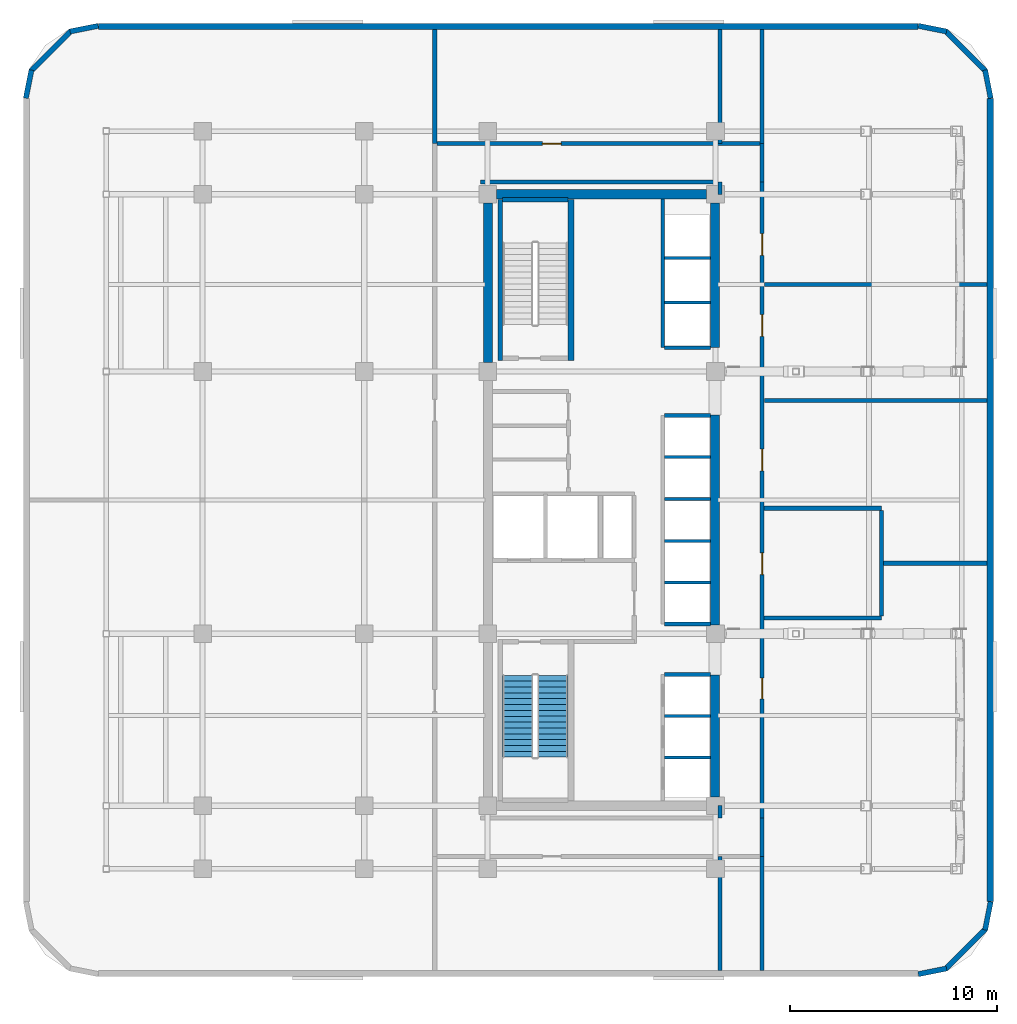
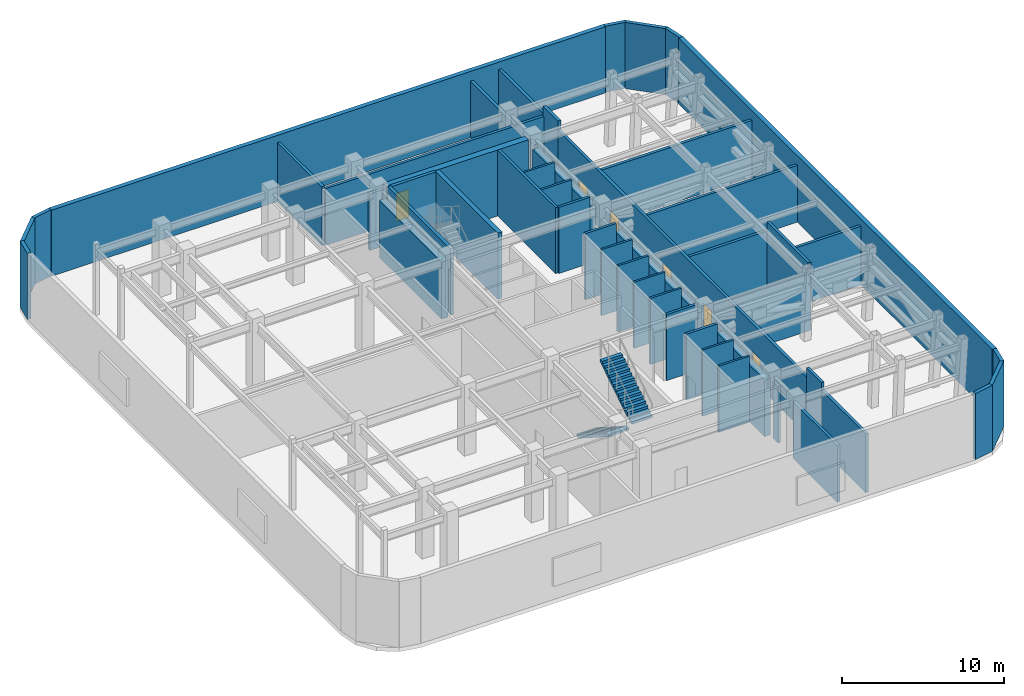
# One storey, part 9 of 14: 50 walls, 6 doors, 2 stair flights, 6 openings, 1 element without a shape of its own.
"""IFC4 building model written with IfcOpenShell, lengths in metres."""

from ifc_helpers import new_model, si_unit, direction, frame, frame_2d, origin, place, context, subcontext, project, spatial, polyline, rectangle, outline, extrude, material, layer, layer_set, type_object, element, fill, aggregate, save


model = new_model("IFC4")

# Units and contexts
model_context = context("Model", 3, precision=1e-05, world=origin(), true_north=direction((0.0, 1.0)))
body_context = subcontext(model_context, "Body", "Model", "MODEL_VIEW")
ifc_project = project(units=[si_unit("LENGTHUNIT", "METRE"), si_unit("AREAUNIT", "SQUARE_METRE"), si_unit("VOLUMEUNIT", "CUBIC_METRE"), si_unit("PLANEANGLEUNIT", "RADIAN"), si_unit("MASSUNIT", "GRAM", prefix="KILO")], contexts=[model_context])

# Site, building, storey
site_placement = place(None, origin())
site = spatial("IfcSite", under=ifc_project, at=site_placement, CompositionType="ELEMENT")
building_placement = place(site_placement, origin())
building = spatial("IfcBuilding", under=site, at=building_placement, Name="Ochreholt Gables", CompositionType="ELEMENT")
storey_placement = place(building_placement, frame((0.0, 0.0, 71.39990234375)))
storey = spatial("IfcBuildingStorey", under=building, at=storey_placement, Name="L18", CompositionType="ELEMENT", Elevation=71.39990234375)

# Walls
ifc_material_1 = material(Name="Concrete 60 MPa", Category="concrete")
ifc_layer_1 = layer(ifc_material_1, 0.449951171875, Name="Concrete 60 MPa")
ifc_layer_set_1 = layer_set([ifc_layer_1], Name="Concrete 60 MPa")
wall_type_1 = type_object("IfcWallType", Name="WALL-CSW-450", PredefinedType="SHEAR", material=ifc_layer_set_1)
wall_1_placement = place(storey_placement, frame((24.22509765625, 30.625, 0.0), z_axis=(0.0, 0.0, 1.0), x_axis=(0.0, 1.0, 0.0)))
element("IfcWall", 1, at=wall_1_placement, inside=storey, type_object=wall_type_1, Name="L18 Core West Shear Wall WN", PredefinedType="SHEAR", context=body_context, shape_type="SweptSolid", body=[
    extrude(rectangle(XDim=7.699951171875, YDim=0.449951171875, at=frame_2d((3.85009765625, 0.0))), origin(), (0.0, 0.0, 1.0), 4.297119140625),
])
wall_2_placement = place(storey_placement, frame((35.175048828125, 9.675048828125, 0.0), z_axis=(0.0, 0.0, 1.0), x_axis=(0.0, 1.0, 0.0)))
element("IfcWall", 2, at=wall_2_placement, inside=storey, type_object=wall_type_1, Name="L18 Core South-East Shear Wall", PredefinedType="SHEAR", context=body_context, shape_type="SweptSolid", body=[
    extrude(rectangle(XDim=5.875, YDim=0.449951171875, at=frame_2d((2.9375, 0.0))), origin(), (0.0, 0.0, 1.0), 4.297119140625),
])
wall_3_placement = place(storey_placement, frame((35.175048828125, 17.97509765625, 0.0), z_axis=(0.0, 0.0, 1.0), x_axis=(0.0, 1.0, 0.0)))
element("IfcWall", 3, at=wall_3_placement, inside=storey, type_object=wall_type_1, Name="L18 Core Central-East Shear Wall", PredefinedType="SHEAR", context=body_context, shape_type="SweptSolid", body=[
    extrude(rectangle(XDim=10.125, YDim=0.449951171875, at=frame_2d((5.0625, 0.0))), origin(), (0.0, 0.0, 1.0), 4.297119140625),
])
wall_4_placement = place(storey_placement, frame((35.175048828125, 31.35009765625, 0.0), z_axis=(0.0, 0.0, 1.0), x_axis=(0.0, 1.0, 0.0)))
element("IfcWall", 4, at=wall_4_placement, inside=storey, type_object=wall_type_1, Name="L18 Core North-East Shear Wall", PredefinedType="SHEAR", context=body_context, shape_type="SweptSolid", body=[
    extrude(rectangle(XDim=6.974853515625, YDim=0.449951171875, at=frame_2d((3.4873046875, 0.0))), origin(), (0.0, 0.0, 1.0), 4.297119140625),
])
wall_5_placement = place(storey_placement, frame((24.625, 38.75, 0.0), z_axis=(0.0, 0.0, 1.0), x_axis=(1.0, 0.0, 0.0)))
element("IfcWall", 5, at=wall_5_placement, inside=storey, type_object=wall_type_1, Name="L18 Core North Shear Wall", PredefinedType="SHEAR", context=body_context, shape_type="SweptSolid", body=[
    extrude(rectangle(XDim=10.14990234375, YDim=0.449951171875, at=frame_2d((5.074951171875, 0.0))), origin(), (0.0, 0.0, 1.0), 4.989990234375),
])
ifc_material_2 = material(Name="Precast concrete 40 MPa", Category="concrete")
ifc_layer_2 = layer(ifc_material_2, 0.25, Name="Precast concrete 40 MPa")
ifc_layer_set_2 = layer_set([ifc_layer_2], Name="Precast concrete 40 MPa")
wall_type_2 = type_object("IfcWallType", Name="WALL-EXT-CNR", PredefinedType="SOLIDWALL", material=ifc_layer_set_2)
wall_6_placement = place(storey_placement, frame((44.9833984375, 1.124267578125, 0.0), z_axis=(0.0, 0.0, 1.0), x_axis=(0.980809899341, 0.19496651342, 0.0)))
element("IfcWall", 6, at=wall_6_placement, inside=storey, type_object=wall_type_2, Name="L18 Rounded Corner Wall SE-1", PredefinedType="SOLIDWALL", context=body_context, shape_type="SweptSolid", body=[
    extrude(rectangle(XDim=1.388671875, YDim=0.25, at=frame_2d((0.6943359375, 0.0))), origin(), (0.0, 0.0, 1.0), 4.989990234375),
])
wall_7_placement = place(storey_placement, frame((46.294921875, 1.367919921875, 0.0), z_axis=(0.0, 0.0, 1.0), x_axis=(0.707106781187, 0.707106781187, 0.0)))
element("IfcWall", 7, at=wall_7_placement, inside=storey, type_object=wall_type_2, Name="L18 Rounded Corner Wall SE-2", PredefinedType="SOLIDWALL", context=body_context, shape_type="SweptSolid", body=[
    extrude(rectangle(XDim=2.7392578125, YDim=0.25, at=frame_2d((1.36962890625, 0.0))), origin(), (0.0, 0.0, 1.0), 4.989990234375),
])
for number, where, z_axis, x_axis, name in (
    (8, (48.205078125, 3.25439453125, 0.0), (0.0, 0.0, 1.0), (0.19496651342, 0.980809899341, 0.0), "L18 Rounded Corner Wall SE-3"),
    (9, (48.475830078125, 43.383544921875, 0.0), (0.0, 0.0, 1.0), (-0.19496651342, 0.980809899341, 0.0), "L18 Rounded Corner Wall NE-1"),
):
    element("IfcWall", number, at=place(storey_placement, frame(where, z_axis=z_axis, x_axis=x_axis)), inside=storey, type_object=wall_type_2, Name=name, PredefinedType="SOLIDWALL", context=body_context, shape_type="SweptSolid", body=[
        extrude(rectangle(XDim=1.388671875, YDim=0.25, at=frame_2d((0.6943359375, 0.0))), origin(), (0.0, 0.0, 1.0), 4.989990234375),
    ])
wall_8_placement = place(storey_placement, frame((48.23193359375, 44.695068359375, 0.0), z_axis=(0.0, 0.0, 1.0), x_axis=(-0.707106781187, 0.707106781187, 0.0)))
element("IfcWall", 10, at=wall_8_placement, inside=storey, type_object=wall_type_2, Name="L18 Rounded Corner Wall NE-2", PredefinedType="SOLIDWALL", context=body_context, shape_type="SweptSolid", body=[
    extrude(rectangle(XDim=2.7392578125, YDim=0.25, at=frame_2d((1.36962890625, 0.0))), origin(), (0.0, 0.0, 1.0), 4.989990234375),
])
for number, where, z_axis, x_axis, name in (
    (11, (46.345458984375, 46.60498046875, 0.0), (0.0, 0.0, 1.0), (-0.980809899341, 0.19496651342, 0.0), "L18 Rounded Corner Wall NE-3"),
    (12, (5.41650390625, 46.875732421875, 0.0), (0.0, 0.0, 1.0), (-0.980809899341, -0.19496651342, 0.0), "L18 Rounded Corner Wall NW-1"),
):
    element("IfcWall", number, at=place(storey_placement, frame(where, z_axis=z_axis, x_axis=x_axis)), inside=storey, type_object=wall_type_2, Name=name, PredefinedType="SOLIDWALL", context=body_context, shape_type="SweptSolid", body=[
        extrude(rectangle(XDim=1.388671875, YDim=0.25, at=frame_2d((0.6943359375, 0.0))), origin(), (0.0, 0.0, 1.0), 4.989990234375),
    ])
wall_9_placement = place(storey_placement, frame((4.10498046875, 46.632080078125, 0.0), z_axis=(0.0, 0.0, 1.0), x_axis=(-0.707106781187, -0.707106781187, 0.0)))
element("IfcWall", 13, at=wall_9_placement, inside=storey, type_object=wall_type_2, Name="L18 Rounded Corner Wall NW-2", PredefinedType="SOLIDWALL", context=body_context, shape_type="SweptSolid", body=[
    extrude(rectangle(XDim=2.7392578125, YDim=0.25, at=frame_2d((1.36962890625, 0.0))), origin(), (0.0, 0.0, 1.0), 4.989990234375),
])
wall_10_placement = place(storey_placement, frame((2.195068359375, 44.74560546875, 0.0), z_axis=(0.0, 0.0, 1.0), x_axis=(-0.19496651342, -0.980809899341, 0.0)))
element("IfcWall", 14, at=wall_10_placement, inside=storey, type_object=wall_type_2, Name="L18 Rounded Corner Wall NW-3", PredefinedType="SOLIDWALL", context=body_context, shape_type="SweptSolid", body=[
    extrude(rectangle(XDim=1.388671875, YDim=0.25, at=frame_2d((0.6943359375, 0.0))), origin(), (0.0, 0.0, 1.0), 4.989990234375),
])
ifc_material_3 = material(Name="Precast concrete 50 MPa", Category="concrete")
ifc_layer_3 = layer(ifc_material_3, 0.31005859375, Name="Precast concrete 50 MPa")
ifc_layer_set_3 = layer_set([ifc_layer_3], Name="Precast concrete 50 MPa")
wall_type_3 = type_object("IfcWallType", Name="WALL-EXT-PLT", PredefinedType="SOLIDWALL", material=ifc_layer_set_3)
wall_11_placement = place(storey_placement, frame((48.445068359375, 4.6201171875, 0.0), z_axis=(0.0, 0.0, 1.0), x_axis=(0.0, 1.0, 0.0)))
element("IfcWall", 15, at=wall_11_placement, inside=storey, type_object=wall_type_3, Name="L18 East Plant Facade Wall", PredefinedType="SOLIDWALL", context=body_context, shape_type="SweptSolid", body=[
    extrude(rectangle(XDim=38.759765625, YDim=0.31005859375, at=frame_2d((19.3798828125, 0.0))), origin(), (0.0, 0.0, 1.0), 4.989990234375),
])
wall_12_placement = place(storey_placement, frame((44.97998046875, 46.844970703125, 0.0), z_axis=(0.0, 0.0, 1.0), x_axis=(-1.0, 0.0, 0.0)))
element("IfcWall", 16, at=wall_12_placement, inside=storey, type_object=wall_type_3, Name="L18 North Plant Facade Wall", PredefinedType="SOLIDWALL", context=body_context, shape_type="SweptSolid", body=[
    extrude(rectangle(XDim=39.56005859375, YDim=0.31005859375, at=frame_2d((19.780029296875, 0.0))), origin(), (0.0, 0.0, 1.0), 4.989990234375),
])

# Wall, openings, doors
ifc_material_4 = material(Name="Concrete 40 MPa", Category="concrete")
ifc_layer_4 = layer(ifc_material_4, 0.199951171875, Name="Concrete 40 MPa")
ifc_layer_set_4 = layer_set([ifc_layer_4], Name="Concrete 40 MPa")
wall_type_4 = type_object("IfcWallType", Name="WALL-INT-CF200", PredefinedType="STANDARD", material=ifc_layer_set_4)
wall_13_placement = place(storey_placement, frame((37.449951171875, 8.64990234375, 0.0), z_axis=(0.0, 0.0, 1.0), x_axis=(0.0, 1.0, 0.0)))
wall_13 = element("IfcWall", 17, at=wall_13_placement, inside=storey, type_object=wall_type_4, Name="L18 Interior Wall WI-PLCE-L18", PredefinedType="STANDARD", context=body_context, shape_type="SweptSolid", body=[
    extrude(rectangle(XDim=30.7001953125, YDim=0.199951171875, at=frame_2d((15.35009765625, 0.0))), origin(), (0.0, 0.0, 1.0), 4.279052734375),
])
opening_1_placement = place(wall_13_placement, frame((11.75, 0.0, 0.0)))
opening_1 = element("IfcOpeningElement", 18, at=opening_1_placement, cuts=wall_13, Name="Opening D-FLB", PredefinedType="OPENING", context=body_context, shape_type="SweptSolid", body=[
    extrude(rectangle(XDim=1.050048828125, YDim=2.14990234375, at=frame_2d((0.52490234375, 1.074951171875))), frame((0.0, 0.10986328125, 0.0), z_axis=(0.0, -1.0, 0.0), x_axis=(1.0, 0.0, 0.0)), (0.0, 0.0, 1.0), 0.219970703125),
])
opening_2_placement = place(wall_13_placement, frame((5.75, 0.0, 0.0)))
opening_2 = element("IfcOpeningElement", 19, at=opening_2_placement, cuts=wall_13, Name="Opening D-SV3", PredefinedType="OPENING", context=body_context, shape_type="SweptSolid", body=[
    extrude(rectangle(XDim=1.0, YDim=2.14990234375, at=frame_2d((0.5, 1.074951171875))), frame((0.0, 0.10986328125, 0.0), z_axis=(0.0, -1.0, 0.0), x_axis=(1.0, 0.0, 0.0)), (0.0, 0.0, 1.0), 0.219970703125),
])
opening_3_placement = place(wall_13_placement, frame((16.75, 0.0, 0.0)))
opening_3 = element("IfcOpeningElement", 20, at=opening_3_placement, cuts=wall_13, Name="Opening D-SV4", PredefinedType="OPENING", context=body_context, shape_type="SweptSolid", body=[
    extrude(rectangle(XDim=1.050048828125, YDim=2.14990234375, at=frame_2d((0.52490234375, 1.074951171875))), frame((0.0, 0.10986328125, 0.0), z_axis=(0.0, -1.0, 0.0), x_axis=(1.0, 0.0, 0.0)), (0.0, 0.0, 1.0), 0.219970703125),
])
opening_4_placement = place(wall_13_placement, frame((23.25, 0.0, 0.0)))
opening_4 = element("IfcOpeningElement", 21, at=opening_4_placement, cuts=wall_13, Name="Opening D-SV4", PredefinedType="OPENING", context=body_context, shape_type="SweptSolid", body=[
    extrude(rectangle(XDim=1.050048828125, YDim=2.14990234375, at=frame_2d((0.52490234375, 1.074951171875))), frame((0.0, 0.10986328125, 0.0), z_axis=(0.0, -1.0, 0.0), x_axis=(1.0, 0.0, 0.0)), (0.0, 0.0, 1.0), 0.219970703125),
])
opening_5_placement = place(wall_13_placement, frame((27.14990234375, 0.0, 0.0)))
opening_5 = element("IfcOpeningElement", 22, at=opening_5_placement, cuts=wall_13, Name="Opening D-SV4", PredefinedType="OPENING", context=body_context, shape_type="SweptSolid", body=[
    extrude(rectangle(XDim=1.050048828125, YDim=2.14990234375, at=frame_2d((0.52490234375, 1.074951171875))), frame((0.0, 0.10986328125, 0.0), z_axis=(0.0, -1.0, 0.0), x_axis=(1.0, 0.0, 0.0)), (0.0, 0.0, 1.0), 0.219970703125),
])
ifc_material_5 = material(Name="Hollow Metal Steel", Category="steel")
door_type_1 = type_object("IfcDoorType", Name="DR-INT-FLB1050", OperationType="NOTDEFINED", PredefinedType="DOOR", material=ifc_material_5)
door_1_placement = place(opening_1_placement, origin())
door_1 = element("IfcDoor", 23, at=door_1_placement, inside=storey, type_object=door_type_1, Name="L18 Door D-PLRF-L18", OperationType="SINGLE_SWING_LEFT", OverallHeight=2.14990234375, OverallWidth=1.050048828125, PredefinedType="DOOR", context=body_context, shape_type="SweptSolid", body=[
    extrude(rectangle(XDim=1.050048828125, YDim=2.14990234375, at=frame_2d((0.52490234375, 1.074951171875))), frame((0.0, 0.02490234375, 0.0), z_axis=(0.0, -1.0, 0.0), x_axis=(1.0, 0.0, 0.0)), (0.0, 0.0, 1.0), 0.050048828125),
])
fill(opening_1, door_1)
door_type_2 = type_object("IfcDoorType", Name="DR-INT-SRV1000", OperationType="NOTDEFINED", PredefinedType="DOOR", material=ifc_material_5)
door_2_placement = place(opening_2_placement, origin())
door_2 = element("IfcDoor", 24, at=door_2_placement, inside=storey, type_object=door_type_2, Name="L18 Door D-PL1-L18", OperationType="SINGLE_SWING_RIGHT", OverallHeight=2.14990234375, OverallWidth=1.0, PredefinedType="DOOR", context=body_context, shape_type="SweptSolid", body=[
    extrude(rectangle(XDim=1.0, YDim=2.14990234375, at=frame_2d((0.5, 1.074951171875))), frame((0.0, 0.02490234375, 0.0), z_axis=(0.0, -1.0, 0.0), x_axis=(1.0, 0.0, 0.0)), (0.0, 0.0, 1.0), 0.050048828125),
])
fill(opening_2, door_2)
door_type_3 = type_object("IfcDoorType", Name="DR-INT-SRV1050", OperationType="NOTDEFINED", PredefinedType="DOOR", material=ifc_material_5)
door_3_placement = place(opening_3_placement, origin())
door_3 = element("IfcDoor", 25, at=door_3_placement, inside=storey, type_object=door_type_3, Name="L18 Door D-PL2-L18", OperationType="SINGLE_SWING_LEFT", OverallHeight=2.14990234375, OverallWidth=1.050048828125, PredefinedType="DOOR", context=body_context, shape_type="SweptSolid", body=[
    extrude(rectangle(XDim=1.050048828125, YDim=2.14990234375, at=frame_2d((0.52490234375, 1.074951171875))), frame((0.0, 0.02490234375, 0.0), z_axis=(0.0, -1.0, 0.0), x_axis=(1.0, 0.0, 0.0)), (0.0, 0.0, 1.0), 0.050048828125),
])
fill(opening_3, door_3)
door_4_placement = place(opening_4_placement, origin())
door_4 = element("IfcDoor", 26, at=door_4_placement, inside=storey, type_object=door_type_3, Name="L18 Door D-PL3-L18", OperationType="SINGLE_SWING_RIGHT", OverallHeight=2.14990234375, OverallWidth=1.050048828125, PredefinedType="DOOR", context=body_context, shape_type="SweptSolid", body=[
    extrude(rectangle(XDim=1.050048828125, YDim=2.14990234375, at=frame_2d((0.52490234375, 1.074951171875))), frame((0.0, 0.02490234375, 0.0), z_axis=(0.0, -1.0, 0.0), x_axis=(1.0, 0.0, 0.0)), (0.0, 0.0, 1.0), 0.050048828125),
])
fill(opening_4, door_4)
door_5_placement = place(opening_5_placement, origin())
door_5 = element("IfcDoor", 27, at=door_5_placement, inside=storey, type_object=door_type_3, Name="L18 Door D-PL4-L18", OperationType="SINGLE_SWING_LEFT", OverallHeight=2.14990234375, OverallWidth=1.050048828125, PredefinedType="DOOR", context=body_context, shape_type="SweptSolid", body=[
    extrude(rectangle(XDim=1.050048828125, YDim=2.14990234375, at=frame_2d((0.52490234375, 1.074951171875))), frame((0.0, 0.02490234375, 0.0), z_axis=(0.0, -1.0, 0.0), x_axis=(1.0, 0.0, 0.0)), (0.0, 0.0, 1.0), 0.050048828125),
])
fill(opening_5, door_5)

# Walls
for number, where, z_axis, x_axis, name in (
    (28, (37.449951171875, 6.800048828125, 0.0), (0.0, 0.0, 1.0), (0.0, 1.0, 0.0), "L18 Interior Wall WI-PLCES0-L18"),
    (29, (37.449951171875, 39.35009765625, 0.0), (0.0, 0.0, 1.0), (0.0, 1.0, 0.0), "L18 Interior Wall WI-PLCEN0-L18"),
):
    element("IfcWall", number, at=place(storey_placement, frame(where, z_axis=z_axis, x_axis=x_axis)), inside=storey, type_object=wall_type_4, Name=name, PredefinedType="STANDARD", context=body_context, shape_type="SweptSolid", body=[
        extrude(rectangle(XDim=1.849853515625, YDim=0.199951171875, at=frame_2d((0.9248046875, 0.0))), origin(), (0.0, 0.0, 1.0), 4.989990234375),
    ])
for number, where, z_axis, x_axis, name in (
    (30, (37.449951171875, 1.31005859375, 0.0), (0.0, 0.0, 1.0), (0.0, 1.0, 0.0), "L18 Interior Wall WI-PLCES1-L18"),
    (31, (37.449951171875, 41.199951171875, 0.0), (0.0, 0.0, 1.0), (0.0, 1.0, 0.0), "L18 Interior Wall WI-PLCEN1-L18"),
):
    element("IfcWall", number, at=place(storey_placement, frame(where, z_axis=z_axis, x_axis=x_axis)), inside=storey, type_object=wall_type_4, Name=name, PredefinedType="STANDARD", context=body_context, shape_type="SweptSolid", body=[
        extrude(rectangle(XDim=5.489990234375, YDim=0.199951171875, at=frame_2d((2.7451171875, 0.0))), origin(), (0.0, 0.0, 1.0), 4.439208984375),
    ])
wall_14_placement = place(storey_placement, frame((35.419921875, 1.31005859375, 0.0), z_axis=(0.0, 0.0, 1.0), x_axis=(0.0, 1.0, 0.0)))
element("IfcWall", 32, at=wall_14_placement, inside=storey, type_object=wall_type_4, Name="L18 Interior Wall WI-PLCSW0-L18", PredefinedType="STANDARD", context=body_context, shape_type="SweptSolid", body=[
    extrude(rectangle(XDim=5.489990234375, YDim=0.199951171875, at=frame_2d((2.7451171875, 0.0))), origin(), (0.0, 0.0, 1.0), 4.279052734375),
])
for number, where, z_axis, x_axis, name in (
    (33, (35.419921875, 8.64990234375, 0.0), (0.0, 0.0, 1.0), (0.0, 1.0, 0.0), "L18 Interior Wall WI-PLCSW1-L18"),
    (34, (35.419921875, 38.75, 0.0), (0.0, 0.0, 1.0), (0.0, 1.0, 0.0), "L18 Interior Wall WI-PLCNW1-L18"),
):
    element("IfcWall", number, at=place(storey_placement, frame(where, z_axis=z_axis, x_axis=x_axis)), inside=storey, type_object=wall_type_4, Name=name, PredefinedType="STANDARD", context=body_context, shape_type="SweptSolid", body=[
        extrude(rectangle(XDim=0.60009765625, YDim=0.199951171875, at=frame_2d((0.300048828125, 0.0))), origin(), (0.0, 0.0, 1.0), 4.279052734375),
    ])
wall_15_placement = place(storey_placement, frame((35.419921875, 41.199951171875, 0.0), z_axis=(0.0, 0.0, 1.0), x_axis=(0.0, 1.0, 0.0)))
element("IfcWall", 35, at=wall_15_placement, inside=storey, type_object=wall_type_4, Name="L18 Interior Wall WI-PLCNW0-L18", PredefinedType="STANDARD", context=body_context, shape_type="SweptSolid", body=[
    extrude(rectangle(XDim=5.489990234375, YDim=0.199951171875, at=frame_2d((2.7451171875, 0.0))), origin(), (0.0, 0.0, 1.0), 4.279052734375),
])
for number, where, z_axis, x_axis, name in (
    (36, (37.550048828125, 18.300048828125, 0.0), (0.0, 0.0, 1.0), (1.0, 0.0, 0.0), "L18 Interior Wall WI-PLRFS-L18"),
    (37, (37.550048828125, 23.60009765625, 0.0), (0.0, 0.0, 1.0), (1.0, 0.0, 0.0), "L18 Interior Wall WI-PLRFN-L18"),
):
    element("IfcWall", number, at=place(storey_placement, frame(where, z_axis=z_axis, x_axis=x_axis)), inside=storey, type_object=wall_type_4, Name=name, PredefinedType="STANDARD", context=body_context, shape_type="SweptSolid", body=[
        extrude(rectangle(XDim=5.64990234375, YDim=0.199951171875, at=frame_2d((2.824951171875, 0.0))), origin(), (0.0, 0.0, 1.0), 4.279052734375),
    ])
wall_16_placement = place(storey_placement, frame((43.199951171875, 18.39990234375, 0.0), z_axis=(0.0, 0.0, 1.0), x_axis=(0.0, 1.0, 0.0)))
element("IfcWall", 38, at=wall_16_placement, inside=storey, type_object=wall_type_4, Name="L18 Interior Wall WI-PLRFE-L18", PredefinedType="STANDARD", context=body_context, shape_type="SweptSolid", body=[
    extrude(rectangle(XDim=5.10009765625, YDim=0.199951171875, at=frame_2d((2.550048828125, 0.0))), origin(), (0.0, 0.0, 1.0), 4.989990234375),
])
wall_17_placement = place(storey_placement, frame((43.300048828125, 20.949951171875, 0.0), z_axis=(0.0, 0.0, 1.0), x_axis=(1.0, 0.0, 0.0)))
element("IfcWall", 39, at=wall_17_placement, inside=storey, type_object=wall_type_4, Name="L18 Interior Wall WI-PLE0-L18", PredefinedType="STANDARD", context=body_context, shape_type="SweptSolid", body=[
    extrude(rectangle(XDim=4.989990234375, YDim=0.199951171875, at=frame_2d((2.4951171875, 0.0))), origin(), (0.0, 0.0, 1.0), 4.439208984375),
])
for number, where, z_axis, x_axis, name in (
    (40, (37.550048828125, 28.800048828125, 0.0), (0.0, 0.0, 1.0), (1.0, 0.0, 0.0), "L18 Interior Wall WI-PLE1-L18"),
    (41, (37.550048828125, 34.39990234375, 0.0), (0.0, 0.0, 1.0), (1.0, 0.0, 0.0), "L18 Interior Wall WI-PLE2-L18"),
):
    element("IfcWall", number, at=place(storey_placement, frame(where, z_axis=z_axis, x_axis=x_axis)), inside=storey, type_object=wall_type_4, Name=name, PredefinedType="STANDARD", context=body_context, shape_type="SweptSolid", body=[
        extrude(rectangle(XDim=10.739990234375, YDim=0.199951171875, at=frame_2d((5.3701171875, 0.0))), origin(), (0.0, 0.0, 1.0), 4.279052734375),
    ])

# Wall, opening, door
wall_18_placement = place(storey_placement, frame((21.75, 41.199951171875, 0.0), z_axis=(0.0, 0.0, 1.0), x_axis=(1.0, 0.0, 0.0)))
wall_18 = element("IfcWall", 42, at=wall_18_placement, inside=storey, type_object=wall_type_4, Name="L18 Interior Wall WI-PLCN-L18", PredefinedType="STANDARD", context=body_context, shape_type="SweptSolid", body=[
    extrude(rectangle(XDim=15.60009765625, YDim=0.199951171875, at=frame_2d((7.800048828125, 0.0))), origin(), (0.0, 0.0, 1.0), 4.279052734375),
])
opening_6_placement = place(wall_18_placement, frame((5.10009765625, 0.0, 0.0)))
opening_6 = element("IfcOpeningElement", 43, at=opening_6_placement, cuts=wall_18, Name="Opening D-SV1", PredefinedType="OPENING", context=body_context, shape_type="SweptSolid", body=[
    extrude(rectangle(XDim=0.89990234375, YDim=2.10009765625, at=frame_2d((0.449951171875, 1.050048828125))), frame((0.0, 0.10986328125, 0.0), z_axis=(0.0, -1.0, 0.0), x_axis=(1.0, 0.0, 0.0)), (0.0, 0.0, 1.0), 0.219970703125),
])
door_type_4 = type_object("IfcDoorType", Name="DR-INT-SRV900", OperationType="NOTDEFINED", PredefinedType="DOOR", material=ifc_material_5)
door_6_placement = place(opening_6_placement, origin())
door_6 = element("IfcDoor", 44, at=door_6_placement, inside=storey, type_object=door_type_4, Name="L18 Door D-PLN0-L18", OperationType="SINGLE_SWING_RIGHT", OverallHeight=2.10009765625, OverallWidth=0.89990234375, PredefinedType="DOOR", context=body_context, shape_type="SweptSolid", body=[
    extrude(rectangle(XDim=0.89990234375, YDim=2.10009765625, at=frame_2d((0.449951171875, 1.050048828125))), frame((0.0, 0.02490234375, 0.0), z_axis=(0.0, -1.0, 0.0), x_axis=(1.0, 0.0, 0.0)), (0.0, 0.0, 1.0), 0.050048828125),
])
fill(opening_6, door_6)

# Walls
wall_19_placement = place(storey_placement, frame((23.85009765625, 39.35009765625, 0.0), z_axis=(0.0, 0.0, 1.0), x_axis=(1.0, 0.0, 0.0)))
element("IfcWall", 45, at=wall_19_placement, inside=storey, type_object=wall_type_4, Name="L18 Interior Wall WI-PLCN2-L18", PredefinedType="STANDARD", context=body_context, shape_type="SweptSolid", body=[
    extrude(rectangle(XDim=11.469970703125, YDim=0.199951171875, at=frame_2d((5.73486328125, 0.0))), origin(), (0.0, 0.0, 1.0), 4.279052734375),
])
wall_20_placement = place(storey_placement, frame((21.64990234375, 41.199951171875, 0.0), z_axis=(0.0, 0.0, 1.0), x_axis=(0.0, 1.0, 0.0)))
element("IfcWall", 46, at=wall_20_placement, inside=storey, type_object=wall_type_4, Name="L18 Interior Wall WI-PLCWN-L18", PredefinedType="STANDARD", context=body_context, shape_type="SweptSolid", body=[
    extrude(rectangle(XDim=5.489990234375, YDim=0.199951171875, at=frame_2d((2.7451171875, 0.0))), origin(), (0.0, 0.0, 1.0), 4.439208984375),
])
ifc_material_6 = material(Name="Gypsum Shaftliner and Steel Stud", Category="steel")
ifc_layer_5 = layer(ifc_material_6, 0.14990234375, Name="Gypsum Shaftliner and Steel Stud")
ifc_layer_set_5 = layer_set([ifc_layer_5], Name="Gypsum Shaftliner and Steel Stud")
wall_type_5 = type_object("IfcWallType", Name="WALL-INT-SH150", PredefinedType="STANDARD", material=ifc_layer_set_5)
for number, where, z_axis, x_axis, name in (
    (47, (32.739990234375, 11.570068359375, 0.0), (0.0, 0.0, 1.0), (1.0, 0.0, 0.0), "L18 Interior Wall WI-LFL-D1-L18"),
    (48, (32.739990234375, 13.570068359375, 0.0), (0.0, 0.0, 1.0), (1.0, 0.0, 0.0), "L18 Interior Wall WI-LFL-D2-L18"),
    (49, (32.739990234375, 20.02001953125, 0.0), (0.0, 0.0, 1.0), (1.0, 0.0, 0.0), "L18 Interior Wall WI-LFHE-DH1-L18"),
    (50, (32.739990234375, 22.02001953125, 0.0), (0.0, 0.0, 1.0), (1.0, 0.0, 0.0), "L18 Interior Wall WI-LFHE-DH2-L18"),
    (51, (32.739990234375, 24.050048828125, 0.0), (0.0, 0.0, 1.0), (1.0, 0.0, 0.0), "L18 Interior Wall WI-LFHE-DHE-L18"),
    (52, (32.739990234375, 26.070068359375, 0.0), (0.0, 0.0, 1.0), (1.0, 0.0, 0.0), "L18 Interior Wall WI-LFHE-DEX1-L18"),
    (53, (32.739990234375, 33.52001953125, 0.0), (0.0, 0.0, 1.0), (1.0, 0.0, 0.0), "L18 Interior Wall WI-LFM-D1-L18"),
    (54, (32.739990234375, 35.669921875, 0.0), (0.0, 0.0, 1.0), (1.0, 0.0, 0.0), "L18 Interior Wall WI-LFM-D2-L18"),
):
    element("IfcWall", number, at=place(storey_placement, frame(where, z_axis=z_axis, x_axis=x_axis)), inside=storey, type_object=wall_type_5, Name=name, PredefinedType="STANDARD", context=body_context, shape_type="SweptSolid", body=[
        extrude(rectangle(XDim=2.2099609375, YDim=0.14990234375, at=frame_2d((1.10498046875, 0.0))), origin(), (0.0, 0.0, 1.0), 4.989990234375),
    ])
ifc_layer_6 = layer(ifc_material_6, 0.179931640625, Name="Gypsum Shaftliner and Steel Stud")
ifc_layer_set_6 = layer_set([ifc_layer_6], Name="Gypsum Shaftliner and Steel Stud")
wall_type_6 = type_object("IfcWallType", Name="WALL-INT-SH180", PredefinedType="STANDARD", material=ifc_layer_set_6)
for number, where, z_axis, x_axis, name in (
    (55, (32.739990234375, 15.580078125, 0.0), (0.0, 0.0, 1.0), (1.0, 0.0, 0.0), "L18 Interior Wall WI-LFL-N-L18"),
    (56, (32.739990234375, 18.02001953125, 0.0), (0.0, 0.0, 1.0), (1.0, 0.0, 0.0), "L18 Interior Wall WI-LFHE-S-L18"),
    (57, (32.739990234375, 28.080078125, 0.0), (0.0, 0.0, 1.0), (1.0, 0.0, 0.0), "L18 Interior Wall WI-LFHE-N-L18"),
):
    element("IfcWall", number, at=place(storey_placement, frame(where, z_axis=z_axis, x_axis=x_axis)), inside=storey, type_object=wall_type_6, Name=name, PredefinedType="STANDARD", context=body_context, shape_type="SweptSolid", body=[
        extrude(rectangle(XDim=2.2099609375, YDim=0.179931640625, at=frame_2d((1.10498046875, 0.0))), origin(), (0.0, 0.0, 1.0), 4.989990234375),
    ])
wall_21_placement = place(storey_placement, frame((32.64990234375, 31.35009765625, 0.0), z_axis=(0.0, 0.0, 1.0), x_axis=(0.0, 1.0, 0.0)))
element("IfcWall", 58, at=wall_21_placement, inside=storey, type_object=wall_type_6, Name="L18 Interior Wall WI-LFM-FR-L18", PredefinedType="STANDARD", context=body_context, shape_type="SweptSolid", body=[
    extrude(rectangle(XDim=7.1748046875, YDim=0.179931640625, at=frame_2d((3.58740234375, 0.0))), origin(), (0.0, 0.0, 1.0), 4.989990234375),
])
wall_22_placement = place(storey_placement, frame((32.739990234375, 31.35009765625, 0.0), z_axis=(0.0, 0.0, 1.0), x_axis=(1.0, 0.0, 0.0)))
element("IfcWall", 59, at=wall_22_placement, inside=storey, type_object=wall_type_6, Name="L18 Interior Wall WI-LFM-S-L18", PredefinedType="STANDARD", context=body_context, shape_type="SweptSolid", body=[
    extrude(rectangle(XDim=2.2099609375, YDim=0.179931640625, at=frame_2d((1.10498046875, 0.0))), origin(), (0.0, 0.0, 1.0), 4.989990234375),
])
ifc_layer_7 = layer(ifc_material_1, 0.300048828125, Name="Concrete 60 MPa")
ifc_layer_set_7 = layer_set([ifc_layer_7], Name="Concrete 60 MPa")
wall_type_7 = type_object("IfcWallType", Name="WALL-SPN-300", PredefinedType="SHEAR", material=ifc_layer_set_7)
wall_23_placement = place(storey_placement, frame((28.22998046875, 30.739990234375, 0.0), z_axis=(0.0, 0.0, 1.0), x_axis=(0.0, 1.0, 0.0)))
element("IfcWall", 60, at=wall_23_placement, inside=storey, type_object=wall_type_7, Name="L18 Core North Spine Shear Wall", PredefinedType="SHEAR", context=body_context, shape_type="SweptSolid", body=[
    extrude(rectangle(XDim=7.760009765625, YDim=0.300048828125, at=frame_2d((3.8798828125, 0.0))), origin(), (0.0, 0.0, 1.0), 4.989990234375),
])
ifc_material_7 = material(Name="Concrete 50 MPa", Category="concrete")
ifc_layer_8 = layer(ifc_material_7, 0.219970703125, Name="Concrete 50 MPa")
ifc_layer_set_8 = layer_set([ifc_layer_8], Name="Concrete 50 MPa")
wall_type_8 = type_object("IfcWallType", Name="WALL-STW-220", PredefinedType="SHEAR", material=ifc_layer_set_8)
wall_24_placement = place(storey_placement, frame((24.81005859375, 30.739990234375, 0.0), z_axis=(0.0, 0.0, 1.0), x_axis=(0.0, 1.0, 0.0)))
element("IfcWall", 61, at=wall_24_placement, inside=storey, type_object=wall_type_8, Name="L18 Exit Stair 2 West Wall", PredefinedType="SHEAR", context=body_context, shape_type="SweptSolid", body=[
    extrude(rectangle(XDim=7.760009765625, YDim=0.219970703125, at=frame_2d((3.8798828125, 0.0))), origin(), (0.0, 0.0, 1.0), 4.989990234375),
])
wall_25_placement = place(storey_placement, frame((24.919921875, 38.489990234375, 0.0), z_axis=(0.0, 0.0, 1.0), x_axis=(1.0, 0.0, 0.0)))
element("IfcWall", 62, at=wall_25_placement, inside=storey, type_object=wall_type_8, Name="L18 Exit Stair 2 North Wall", PredefinedType="SHEAR", context=body_context, shape_type="SweptSolid", body=[
    extrude(rectangle(XDim=3.16015625, YDim=0.219970703125, at=frame_2d((1.580078125, 0.0))), origin(), (0.0, 0.0, 1.0), 4.989990234375),
])

# Stair, stair flights
stair_type = type_object("IfcStairType", Name="STAIR-CORE-ST-1", PredefinedType="HALF_TURN_STAIR", material=ifc_material_4)
stair_placement = place(storey_placement, origin())
stair = element("IfcStair", 63, at=stair_placement, inside=storey, type_object=stair_type, Name="L18 Core Exit Stair 1", PredefinedType="HALF_TURN_STAIR")
stair_flight_type = type_object("IfcStairFlightType", Name="FLIGHT-ST-1480-1800", PredefinedType="STRAIGHT", material=ifc_material_4)
stair_flight_1_placement = place(storey_placement, frame((25.659912109375, 15.5400390625, 0.0), z_axis=(0.0, 0.0, 1.0), x_axis=(0.0, -1.0, 0.0)))
stair_flight_1 = element("IfcStairFlight", 64, at=stair_flight_1_placement, type_object=stair_flight_type, Name="ST-1 flight 1", NumberOfRisers=15, NumberOfTreads=14, PredefinedType="STRAIGHT", RiserHeight=0.18, TreadLength=0.282, context=body_context, shape_type="SweptSolid", body=[
    extrude(outline(polyline([(0.0, 0.0), (0.0, 0.179931640625), (0.281982421875, 0.179931640625), (0.281982421875, 0.360107421875), (0.56396484375, 0.360107421875), (0.56396484375, 0.5400390625), (0.845947265625, 0.5400390625), (0.845947265625, 0.719970703125), (1.1279296875, 0.719970703125), (1.1279296875, 0.89990234375), (1.409912109375, 0.89990234375), (1.409912109375, 1.080078125), (1.69189453125, 1.080078125), (1.69189453125, 1.260009765625), (1.97412109375, 1.260009765625), (1.97412109375, 1.43994140625), (2.256103515625, 1.43994140625), (2.256103515625, 1.6201171875), (2.5380859375, 1.6201171875), (2.5380859375, 1.800048828125), (2.820068359375, 1.800048828125), (2.820068359375, 1.97998046875), (3.10205078125, 1.97998046875), (3.10205078125, 2.159912109375), (3.384033203125, 2.159912109375), (3.384033203125, 2.340087890625), (3.666015625, 2.340087890625), (3.666015625, 2.52001953125), (3.947998046875, 2.52001953125), (3.947998046875, 2.699951171875), (3.947998046875, 2.34228515625), (0.278564453125, 0.0), (0.0, 0.0)])), frame((0.0, 0.739990234375, 0.0), z_axis=(0.0, -1.0, 0.0), x_axis=(1.0, 0.0, 0.0)), (0.0, 0.0, 1.0), 1.47998046875),
])
stair_flight_2_placement = place(storey_placement, frame((27.340087890625, 11.592041015625, 2.7001953125), z_axis=(0.0, 0.0, 1.0), x_axis=(0.0, 1.0, 0.0)))
stair_flight_2 = element("IfcStairFlight", 65, at=stair_flight_2_placement, type_object=stair_flight_type, Name="ST-1 flight 2", NumberOfRisers=15, NumberOfTreads=14, PredefinedType="STRAIGHT", RiserHeight=0.18, TreadLength=0.282, context=body_context, shape_type="SweptSolid", body=[
    extrude(outline(polyline([(0.0, 0.0), (0.0, 0.179931640625), (0.281982421875, 0.179931640625), (0.281982421875, 0.360107421875), (0.56396484375, 0.360107421875), (0.56396484375, 0.5400390625), (0.845947265625, 0.5400390625), (0.845947265625, 0.719970703125), (1.1279296875, 0.719970703125), (1.1279296875, 0.89990234375), (1.409912109375, 0.89990234375), (1.409912109375, 1.080078125), (1.69189453125, 1.080078125), (1.69189453125, 1.260009765625), (1.97412109375, 1.260009765625), (1.97412109375, 1.43994140625), (2.256103515625, 1.43994140625), (2.256103515625, 1.6201171875), (2.5380859375, 1.6201171875), (2.5380859375, 1.800048828125), (2.820068359375, 1.800048828125), (2.820068359375, 1.97998046875), (3.10205078125, 1.97998046875), (3.10205078125, 2.159912109375), (3.384033203125, 2.159912109375), (3.384033203125, 2.340087890625), (3.666015625, 2.340087890625), (3.666015625, 2.52001953125), (3.947998046875, 2.52001953125), (3.947998046875, 2.699951171875), (3.947998046875, 2.34228515625), (0.278564453125, 0.0), (0.0, 0.0)])), frame((0.0, 0.739990234375, 0.0), z_axis=(0.0, -1.0, 0.0), x_axis=(1.0, 0.0, 0.0)), (0.0, 0.0, 1.0), 1.47998046875),
])
aggregate(stair, [stair_flight_1, stair_flight_2])

save(model, "model.ifc")
